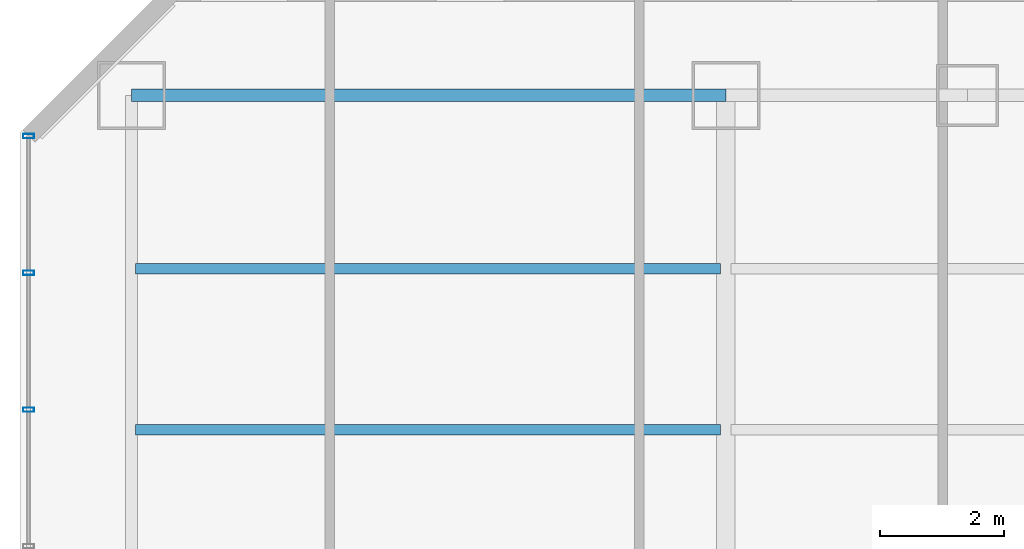
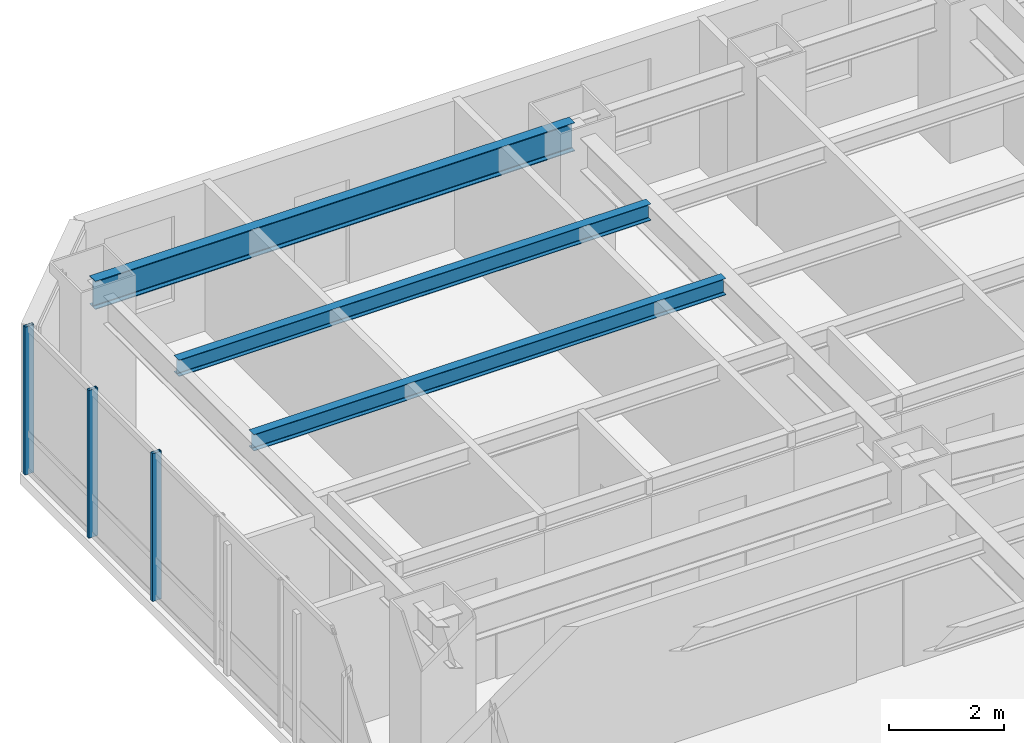
# One storey, part 16 of 33: 3 beams, 3 members, 1 element without a shape of its own.
"""IFC4 building model written with IfcOpenShell, lengths in metres."""

from ifc_helpers import new_model, si_unit, direction, frame, origin, origin_2d, place, context, subcontext, project, spatial, hollow_rectangle, i_section, extrude, material, layer, layer_set, material_profile, profile_set, type_object, element, aggregate, save


model = new_model("IFC4")

# Units and contexts
model_context = context("Model", 3, precision=1e-05, world=origin(), true_north=direction((0.0, 1.0)))
body_context = subcontext(model_context, "Body", "Model", "MODEL_VIEW")
ifc_project = project(units=[si_unit("LENGTHUNIT", "METRE"), si_unit("AREAUNIT", "SQUARE_METRE"), si_unit("VOLUMEUNIT", "CUBIC_METRE"), si_unit("PLANEANGLEUNIT", "RADIAN"), si_unit("MASSUNIT", "GRAM", prefix="KILO")], contexts=[model_context])

# Site, building, storey
site_placement = place(None, origin())
site = spatial("IfcSite", under=ifc_project, at=site_placement, CompositionType="ELEMENT")
building_placement = place(site_placement, origin())
building = spatial("IfcBuilding", under=site, at=building_placement, Name="Hatsunagi Terrace Concourse", CompositionType="ELEMENT")
storey_placement = place(building_placement, frame((0.0, 0.0, 43.300048828125)))
storey = spatial("IfcBuildingStorey", under=building, at=storey_placement, Name="L10", CompositionType="ELEMENT", Elevation=43.300048828125)

# Curtain wall, members
ifc_material_1 = material(Name="Anodised Aluminium Alloy 6063-T5", Category="aluminium")
ifc_layer = layer(ifc_material_1, 0.199951171875)
ifc_layer_set = layer_set([ifc_layer], Name="HotelFacade_CW02")
curtain_wall_type = type_object("IfcCurtainWallType", Name="HotelFacade_CW02", PredefinedType="NOTDEFINED", material=ifc_layer_set)
curtain_wall_placement = place(storey_placement, origin())
curtain_wall = element("IfcCurtainWall", 1, at=curtain_wall_placement, inside=storey, type_object=curtain_wall_type, Name="Unitised Curtain Wall CW-02 CW-L10-09", PredefinedType="NOTDEFINED")
ifc_material_2 = material(Name="Anodised Aluminium Alloy 6063-T5", Category="aluminium")
ifc_material_profile_1 = material_profile(ifc_material_2, hollow_rectangle(XDim=0.070068359375, YDim=0.179931640625, WallThickness=0.00390625, at=origin_2d()), Name="ALU-MUL-180x70x4")
ifc_profile_set_1 = profile_set([ifc_material_profile_1], Name="Anodised Aluminium Alloy 6063-T5")
member_type = type_object("IfcMemberType", Name="CurtainWallMullion_180x70", PredefinedType="MULLION", material=ifc_profile_set_1)
member_1_placement = place(storey_placement, frame((0.139892578125, 43.52490234375, 0.0), z_axis=(0.0, 0.0, 1.0), x_axis=(0.0, 1.0, 0.0)))
member_1 = element("IfcMember", 2, at=member_1_placement, type_object=member_type, Name="Curtain Wall Mullion MUL-02", PredefinedType="MULLION", context=body_context, shape_type="SweptSolid", body=[
    extrude(hollow_rectangle(XDim=0.070068359375, YDim=0.179931640625, WallThickness=0.00390625, at=origin_2d()), origin(), (0.0, 0.0, 1.0), 3.1298828125),
])
member_2_placement = place(storey_placement, frame((0.139892578125, 45.73388671875, 0.0), z_axis=(0.0, 0.0, 1.0), x_axis=(0.0, 1.0, 0.0)))
member_2 = element("IfcMember", 3, at=member_2_placement, type_object=member_type, Name="Curtain Wall Mullion MUL-02", PredefinedType="MULLION", context=body_context, shape_type="SweptSolid", body=[
    extrude(hollow_rectangle(XDim=0.070068359375, YDim=0.179931640625, WallThickness=0.00390625, at=origin_2d()), origin(), (0.0, 0.0, 1.0), 3.1298828125),
])
member_3_placement = place(storey_placement, frame((0.139892578125, 47.94189453125, 0.0), z_axis=(0.0, 0.0, 1.0), x_axis=(0.0, 1.0, 0.0)))
member_3 = element("IfcMember", 4, at=member_3_placement, type_object=member_type, Name="Curtain Wall Mullion MUL-02", PredefinedType="MULLION", context=body_context, shape_type="SweptSolid", body=[
    extrude(hollow_rectangle(XDim=0.070068359375, YDim=0.179931640625, WallThickness=0.00390625, at=origin_2d()), origin(), (0.0, 0.0, 1.0), 3.1298828125),
])
aggregate(curtain_wall, [member_1, member_2, member_3])

# Beams
ifc_material_3 = material(Name="Steel SN490B", Category="steel")
ifc_material_profile_2 = material_profile(ifc_material_3, i_section(OverallWidth=0.175048828125, OverallDepth=0.35009765625, WebThickness=0.007080078125, FlangeThickness=0.010986328125, FilletRadius=0.012939453125, at=origin_2d()), Name="H-350x175x7x11")
ifc_profile_set_2 = profile_set([ifc_material_profile_2], Name="Steel SN490B")
beam_type_1 = type_object("IfcBeamType", Name="HotelJoist_H_350x175", PredefinedType="JOIST", material=ifc_profile_set_2)
for number, where, z_axis, x_axis, name in (
    (5, (1.864990234375, 43.199951171875, 2.954833984375), (1.0, 0.0, 0.0), (0.0, 1.0, 0.0), "Beam J-02 J-L10-W-1-432"),
    (6, (1.864990234375, 45.800048828125, 2.954833984375), (1.0, 0.0, 0.0), (0.0, 1.0, 0.0), "Beam J-02 J-L10-W-1-458"),
):
    element("IfcBeam", number, at=place(storey_placement, frame(where, z_axis=z_axis, x_axis=x_axis)), inside=storey, type_object=beam_type_1, Name=name, PredefinedType="JOIST", context=body_context, shape_type="SweptSolid", body=[
        extrude(i_section(OverallWidth=0.175048828125, OverallDepth=0.35009765625, WebThickness=0.007080078125, FlangeThickness=0.010986328125, FilletRadius=0.012939453125, at=origin_2d()), origin(), (0.0, 0.0, 1.0), 9.449951171875),
    ])
ifc_material_4 = material(Name="Steel SN490B", Category="steel")
ifc_material_profile_3 = material_profile(ifc_material_4, i_section(OverallWidth=0.199951171875, OverallDepth=0.60009765625, WebThickness=0.010986328125, FlangeThickness=0.01708984375, FilletRadius=0.01806640625, at=origin_2d()), Name="H-600x200x11x17")
ifc_profile_set_3 = profile_set([ifc_material_profile_3], Name="Steel SN490B")
beam_type_2 = type_object("IfcBeamType", Name="PerimeterSpandrel_H_600x200", PredefinedType="SPANDREL", material=ifc_profile_set_3)
beam_placement = place(storey_placement, frame((1.800048828125, 48.60009765625, 2.829833984375), z_axis=(1.0, 0.0, 0.0), x_axis=(0.0, 1.0, 0.0)))
element("IfcBeam", 7, at=beam_placement, inside=storey, type_object=beam_type_2, Name="Beam SP-01 BM-L10-WN-1", PredefinedType="SPANDREL", context=body_context, shape_type="SweptSolid", body=[
    extrude(i_section(OverallWidth=0.199951171875, OverallDepth=0.60009765625, WebThickness=0.010986328125, FlangeThickness=0.01708984375, FilletRadius=0.01806640625, at=origin_2d()), origin(), (0.0, 0.0, 1.0), 9.599853515625),
])

save(model, "model.ifc")
